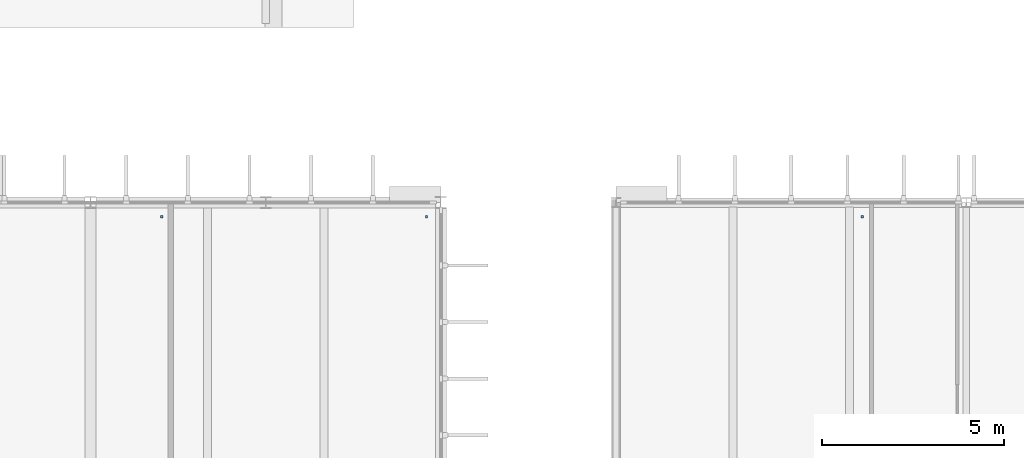
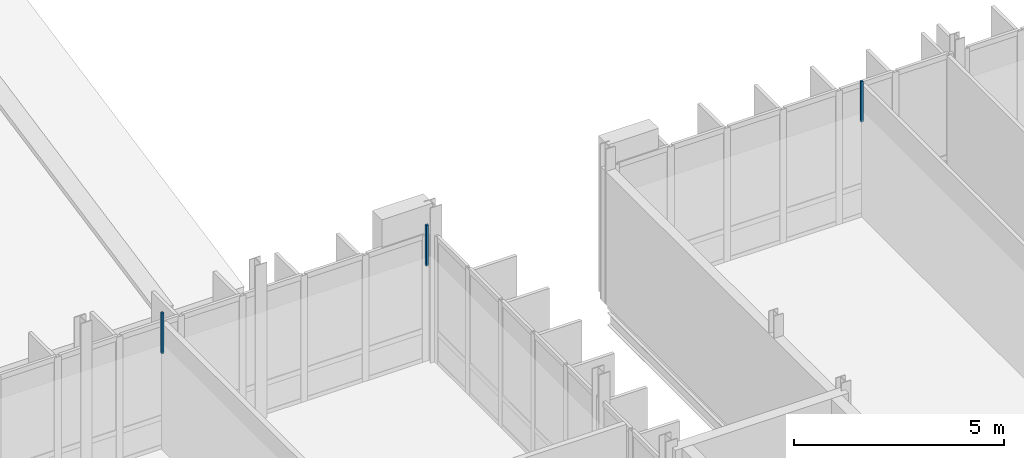
# One storey, part 44 of 59: 3 discrete accessories.
"""IFC4 building model written with IfcOpenShell, lengths in metres."""

from ifc_helpers import new_model, si_unit, direction, frame, origin, place, context, subcontext, project, spatial, polyline, outline, extrude, material, type_object, element, save


model = new_model("IFC4")

# Units and contexts
model_context = context("Model", 3, precision=1e-05, world=origin(), true_north=direction((0.0, 1.0)))
body_context = subcontext(model_context, "Body", "Model", "MODEL_VIEW")
ifc_project = project(units=[si_unit("LENGTHUNIT", "METRE"), si_unit("AREAUNIT", "SQUARE_METRE"), si_unit("VOLUMEUNIT", "CUBIC_METRE"), si_unit("PLANEANGLEUNIT", "RADIAN"), si_unit("MASSUNIT", "GRAM", prefix="KILO")], contexts=[model_context])

# Site, building, storey
site_placement = place(None, origin())
site = spatial("IfcSite", under=ifc_project, at=site_placement, CompositionType="ELEMENT")
building_placement = place(site_placement, origin())
building = spatial("IfcBuilding", under=site, at=building_placement, Name="Dunescarp Central Library", CompositionType="ELEMENT")
storey_placement = place(building_placement, frame((0.0, 0.0, 18.60009765625)))
storey = spatial("IfcBuildingStorey", under=building, at=storey_placement, Name="L04", CompositionType="ELEMENT", Elevation=18.60009765625)

# Discrete accessories
ifc_material = material(Name="Stainless steel Grade 316L", Category="steel")
discrete_accessory_type = type_object("IfcDiscreteAccessoryType", Name="ARC-ACC-BRK", PredefinedType="BRACKET", material=ifc_material)
discrete_accessory_1_placement = place(storey_placement, frame((0.0, 0.0, 3.059814453125)))
element("IfcDiscreteAccessory", 1, at=discrete_accessory_1_placement, inside=storey, type_object=discrete_accessory_type, Name="L04 ceiling hanger CLG-L04-034-H2", PredefinedType="BRACKET", context=body_context, shape_type="SweptSolid", body=[
    extrude(outline(polyline([(25.919921875, 36.3798828125), (25.97998046875, 36.3798828125), (25.97998046875, 36.43994140625), (25.919921875, 36.43994140625), (25.919921875, 36.3798828125)])), origin(), (0.0, 0.0, 1.0), 1.18017578125),
])
discrete_accessory_2_placement = place(storey_placement, frame((0.0, 0.0, 3.059814453125)))
element("IfcDiscreteAccessory", 2, at=discrete_accessory_2_placement, inside=storey, type_object=discrete_accessory_type, Name="L04 ceiling hanger CLG-L04-035-H2", PredefinedType="BRACKET", context=body_context, shape_type="SweptSolid", body=[
    extrude(outline(polyline([(33.179931640625, 36.3798828125), (33.239990234375, 36.3798828125), (33.239990234375, 36.43994140625), (33.179931640625, 36.43994140625), (33.179931640625, 36.3798828125)])), origin(), (0.0, 0.0, 1.0), 1.18017578125),
])
discrete_accessory_3_placement = place(storey_placement, frame((0.0, 0.0, 3.059814453125)))
element("IfcDiscreteAccessory", 3, at=discrete_accessory_3_placement, inside=storey, type_object=discrete_accessory_type, Name="L04 ceiling hanger CLG-L04-079-H2", PredefinedType="BRACKET", context=body_context, shape_type="SweptSolid", body=[
    extrude(outline(polyline([(45.1201171875, 36.3798828125), (45.179931640625, 36.3798828125), (45.179931640625, 36.43994140625), (45.1201171875, 36.43994140625), (45.1201171875, 36.3798828125)])), origin(), (0.0, 0.0, 1.0), 1.18017578125),
])

save(model, "model.ifc")
